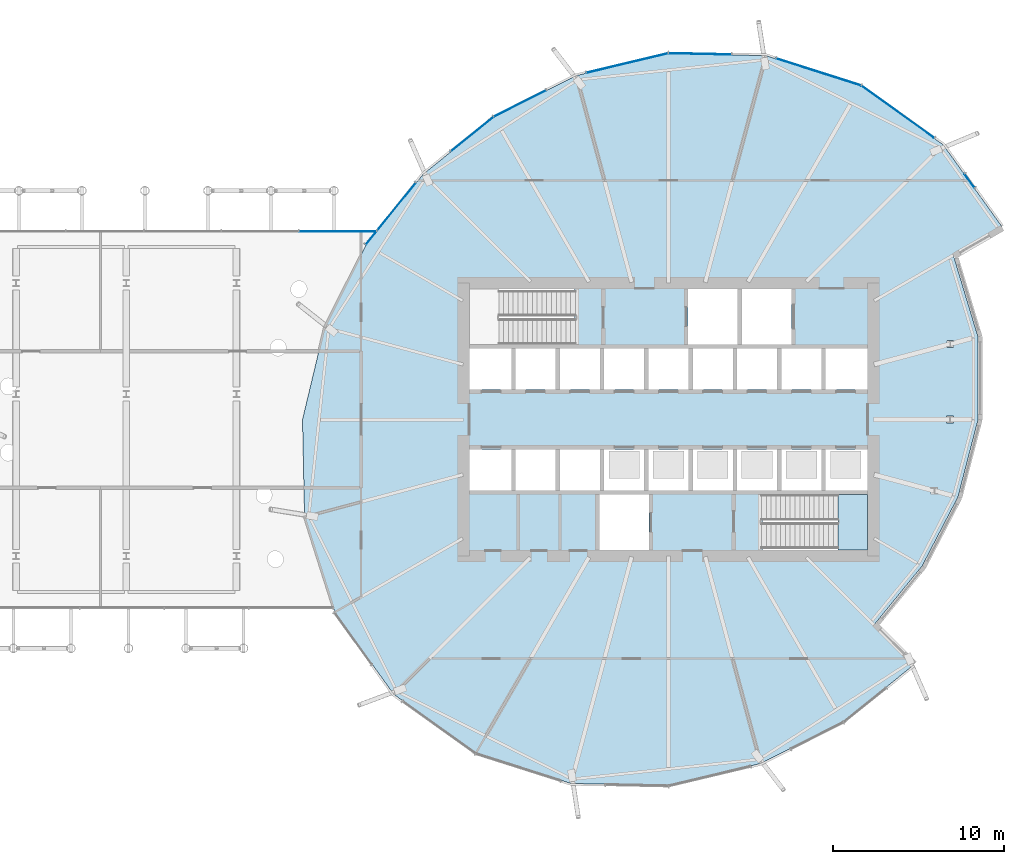
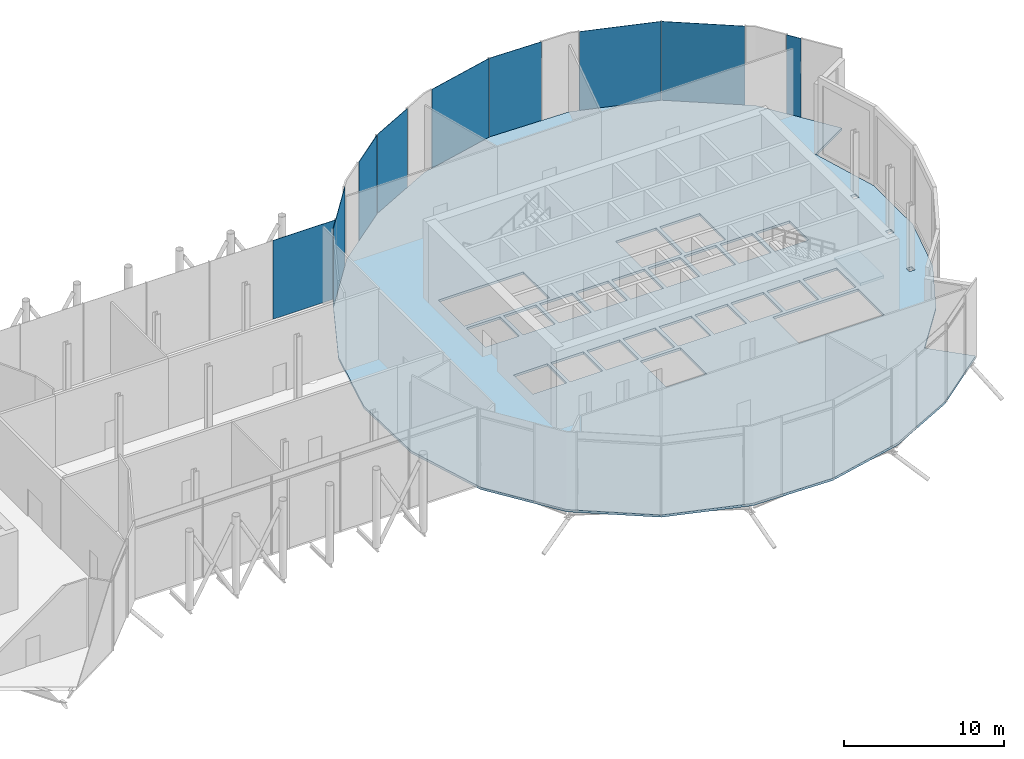
# One storey, part 18 of 38: 9 plates, 2 slabs, 3 elements without a shape of their own.
"""IFC4 building model written with IfcOpenShell, lengths in metres."""

import ifcopenshell
import ifcopenshell.guid

model = None  # the IFC model being written
_history = None  # IfcOwnerHistory: only IFC2X3 demands one
_inside = {}  # id of a spatial element -> (the spatial element, [elements in it])
_under = {}  # id of a project, library or spatial element -> (it, [spatial elements below it])
_declared = {}  # id of a project -> (the project, [libraries it declares])
_typed = {}  # id of a type object -> (the type object, [elements of that type])
_made_of = {}  # id of a material, layer set ... -> (it, [elements and type objects made of it])


def new_model(schema):
    """Start an empty IFC model of exactly this schema.

    Asked for "IFC4X3", IfcOpenShell would pick the latest addendum, in which some entities
    have other attributes; the version numbers below select the first issue.
    IFC2X3 requires an IfcOwnerHistory on every rooted entity: one is made here for all.
    """
    global model, _history
    if schema == "IFC4X3":
        model = ifcopenshell.file(schema_version=(4, 3, 0, 0))
    else:
        model = ifcopenshell.file(schema=schema)
    _inside.clear()
    _under.clear()
    _declared.clear()
    _typed.clear()
    _made_of.clear()
    _history = None
    if model.schema == "IFC2X3":
        org = make("IfcOrganization", Name="unknown")
        user = make(
            "IfcPersonAndOrganization",
            ThePerson=make("IfcPerson", FamilyName="unknown"),
            TheOrganization=org,
        )
        app = make(
            "IfcApplication",
            ApplicationDeveloper=org,
            Version="unknown",
            ApplicationFullName="unknown",
            ApplicationIdentifier="unknown",
        )
        _history = make(
            "IfcOwnerHistory",
            OwningUser=user,
            OwningApplication=app,
            ChangeAction="ADDED",
            CreationDate=0,
        )
    return model


def make(cls, **values):
    """One entity of the class cls with the attributes given. An attribute that is None is left unset."""
    return model.create_entity(
        cls, **{name: value for name, value in values.items() if value is not None}
    )


def rooted(cls, **values):
    """An entity with a GlobalId (a new one), such as an element, a storey or a relation."""
    return make(cls, GlobalId=ifcopenshell.guid.new(), OwnerHistory=_history, **values)


def si_unit(unit_type, name, prefix=None):
    """IfcSIUnit, for example si_unit("LENGTHUNIT", "METRE", prefix="MILLI")."""
    return make("IfcSIUnit", UnitType=unit_type, Prefix=prefix, Name=name)


def assignment(units):
    """IfcUnitAssignment: the units of a project."""
    return None if units is None else make("IfcUnitAssignment", Units=units)


def point(xyz):
    """IfcCartesianPoint."""
    return None if xyz is None else make("IfcCartesianPoint", Coordinates=xyz)


def direction(xyz):
    """IfcDirection."""
    return None if xyz is None else make("IfcDirection", DirectionRatios=xyz)


def frame(location, z_axis=None, x_axis=None):
    """IfcAxis2Placement3D, a coordinate frame: its origin and axes. An axis left out is left unset."""
    return make(
        "IfcAxis2Placement3D",
        Location=point(location),
        Axis=direction(z_axis),
        RefDirection=direction(x_axis),
    )


def frame_2d(location, x_axis=None):
    """IfcAxis2Placement2D, a coordinate frame in the plane: its origin and x axis."""
    return make(
        "IfcAxis2Placement2D", Location=point(location), RefDirection=direction(x_axis)
    )


def origin():
    """The frame at (0, 0, 0) with its axes left unset."""
    return frame((0.0, 0.0, 0.0))


def origin_2d():
    """The frame at (0, 0) in the plane with its x axis left unset."""
    return frame_2d((0.0, 0.0))


def place(relative_to, where):
    """IfcLocalPlacement: puts the frame where relative to a parent placement (None: the world)."""
    return make(
        "IfcLocalPlacement", PlacementRelTo=relative_to, RelativePlacement=where
    )


def context(
    kind, dimensions, precision=None, world=None, true_north=None, identifier=None
):
    """IfcGeometricRepresentationContext, for example the 3D "Model" context."""
    return make(
        "IfcGeometricRepresentationContext",
        ContextIdentifier=identifier,
        ContextType=kind,
        CoordinateSpaceDimension=dimensions,
        Precision=precision,
        WorldCoordinateSystem=world,
        TrueNorth=true_north,
    )


def subcontext(parent, identifier, kind, view, scale=None):
    """IfcGeometricRepresentationSubContext, for example "Body" below "Model"."""
    return make(
        "IfcGeometricRepresentationSubContext",
        ContextIdentifier=identifier,
        ContextType=kind,
        ParentContext=parent,
        TargetScale=scale,
        TargetView=view,
    )


def project(units=None, contexts=None):
    """IfcProject with its units and contexts."""
    return rooted(
        "IfcProject",
        Name="project",
        RepresentationContexts=contexts,
        UnitsInContext=assignment(units),
    )


def spatial(cls, under=None, at=None, **own):
    """A site, building, storey or space (cls), placed at a placement, below another one or the project."""
    s = rooted(cls, ObjectPlacement=at, **own)
    if under is not None:
        _under.setdefault(under.id(), (under, []))[1].append(s)
    return s


def polyline(points):
    """IfcPolyline through the points."""
    return make("IfcPolyline", Points=[point(p) for p in points])


def profile(cls, at=None, kind="AREA", **sizes):
    """A parametric profile (cls). Its sizes go by their IFC names, for example OverallWidth=200.0."""
    return make(cls, ProfileType=kind, Position=at, **sizes)


def rectangle(**sizes):
    """IfcRectangleProfileDef."""
    return profile("IfcRectangleProfileDef", **sizes)


def outline(outer, holes=None, kind="AREA"):
    """IfcArbitraryClosedProfileDef: a profile drawn as a closed curve; with holes, ...WithVoids."""
    if holes is None:
        return make("IfcArbitraryClosedProfileDef", ProfileType=kind, OuterCurve=outer)
    return make(
        "IfcArbitraryProfileDefWithVoids",
        ProfileType=kind,
        OuterCurve=outer,
        InnerCurves=holes,
    )


def extrude(swept, where, along, depth):
    """IfcExtrudedAreaSolid: the profile swept, set in the frame where, extruded along a direction by depth."""
    return make(
        "IfcExtrudedAreaSolid",
        SweptArea=swept,
        Position=where,
        ExtrudedDirection=direction(along),
        Depth=depth,
    )


def shape(context_of_items, identifier, shape_type, items):
    """IfcShapeRepresentation: the items that make up one representation, for example the "Body"."""
    return make(
        "IfcShapeRepresentation",
        ContextOfItems=context_of_items,
        RepresentationIdentifier=identifier,
        RepresentationType=shape_type,
        Items=items,
    )


def material(Name=None, Category=None):
    """IfcMaterial."""
    return make("IfcMaterial", Name=Name, Category=Category)


def layer(
    of_material, thickness, ventilated=None, Name=None, Category=None, Priority=None
):
    """IfcMaterialLayer: one layer of a wall or slab, of a material (None: an air gap)."""
    return make(
        "IfcMaterialLayer",
        Material=of_material,
        LayerThickness=thickness,
        IsVentilated=ventilated,
        Name=Name,
        Category=Category,
        Priority=Priority,
    )


def layer_set(layers, Name=None):
    """IfcMaterialLayerSet."""
    return make("IfcMaterialLayerSet", MaterialLayers=layers, LayerSetName=Name)


def made_of(thing, what):
    """Note that an element or type object is made of a material, layer set ...; save() writes the relation."""
    if what is not None:
        _made_of.setdefault(what.id(), (what, []))[1].append(thing)
    return thing


def type_object(cls, material=None, **own):
    """A type object (cls), such as IfcWallType, which elements share."""
    return made_of(rooted(cls, **own), material)


def element(
    cls,
    number,
    at=None,
    inside=None,
    cuts=None,
    type_object=None,
    material=None,
    context=None,
    identifier="Body",
    shape_type=None,
    held_by="IfcProductDefinitionShape",
    body=None,
    shapes=None,
    **own,
):
    """One element of the class cls, such as IfcWall. Its Tag is "e" and its number.

    at: its placement. inside: the storey or other place that contains it. cuts: it is an
    opening in that element (IfcRelVoidsElement). A single representation is given by context,
    identifier, shape_type and body (its items); several are given by shapes. held_by: the class
    of the entity that holds the representations. save() writes the other relations.
    """
    e = rooted(cls, Tag="e%d" % number, ObjectPlacement=at, **own)
    if body is not None:
        shapes = [shape(context, identifier, shape_type, body)]
    if shapes is not None:
        e.Representation = make(held_by, Representations=shapes)
    if inside is not None:
        _inside.setdefault(inside.id(), (inside, []))[1].append(e)
    if cuts is not None:
        rooted(
            "IfcRelVoidsElement", RelatingBuildingElement=cuts, RelatedOpeningElement=e
        )
    if type_object is not None:
        _typed.setdefault(type_object.id(), (type_object, []))[1].append(e)
    return made_of(e, material)


def aggregate(whole, parts):
    """IfcRelAggregates: a whole, such as a stair, and the parts it consists of."""
    return rooted("IfcRelAggregates", RelatingObject=whole, RelatedObjects=parts)


def save(model, path):
    """Write the relations noted so far, then the file.

    IfcRelAggregates (storeys below a building ...), IfcRelContainedInSpatialStructure (elements
    in a storey), IfcRelDefinesByType, IfcRelAssociatesMaterial and IfcRelDeclares: one each for
    every whole, place, type object, material and project.
    """
    for whole, parts in _under.values():
        aggregate(whole, parts)
    for where, things in _inside.values():
        rooted(
            "IfcRelContainedInSpatialStructure",
            RelatedElements=things,
            RelatingStructure=where,
        )
    for kind, things in _typed.values():
        rooted("IfcRelDefinesByType", RelatedObjects=things, RelatingType=kind)
    for what, things in _made_of.values():
        rooted("IfcRelAssociatesMaterial", RelatedObjects=things, RelatingMaterial=what)
    for by, libraries in _declared.values():
        rooted("IfcRelDeclares", RelatingContext=by, RelatedDefinitions=libraries)
    model.write(path)


model = new_model("IFC4")

# Units and contexts
model_context = context("Model", 3, precision=1e-05, world=origin(), true_north=direction((0.0, 1.0)))
body_context = subcontext(model_context, "Body", "Model", "MODEL_VIEW")
ifc_project = project(units=[si_unit("LENGTHUNIT", "METRE"), si_unit("AREAUNIT", "SQUARE_METRE"), si_unit("VOLUMEUNIT", "CUBIC_METRE"), si_unit("PLANEANGLEUNIT", "RADIAN"), si_unit("MASSUNIT", "GRAM", prefix="KILO")], contexts=[model_context])

# Site, building, storey
site_placement = place(None, origin())
site = spatial("IfcSite", under=ifc_project, at=site_placement, CompositionType="ELEMENT")
building_placement = place(site_placement, origin())
building = spatial("IfcBuilding", under=site, at=building_placement, Name="Rimbun Link Towers", CompositionType="ELEMENT")
storey_placement = place(building_placement, frame((0.0, 0.0, 133.199951171875)))
storey = spatial("IfcBuildingStorey", under=building, at=storey_placement, Name="L32", CompositionType="ELEMENT", Elevation=133.199951171875)

# Slab
ifc_material_1 = material(Name="Concrete C35/45", Category="concrete")
ifc_layer_1 = layer(ifc_material_1, 0.179931640625)
ifc_layer_set_1 = layer_set([ifc_layer_1], Name="COMPOSITE FLOOR 180")
slab_type_1 = type_object("IfcSlabType", Name="COMPOSITE FLOOR 180", PredefinedType="FLOOR", material=ifc_layer_set_1)
slab_1_placement = place(storey_placement, frame((0.0, 0.0, -0.179931640625)))
element("IfcSlab", 1, at=slab_1_placement, inside=storey, type_object=slab_type_1, Name="Floor slab T2 L32", PredefinedType="FLOOR", context=body_context, shape_type="SweptSolid", body=[
    extrude(outline(polyline([(41.9775390625, -17.714599609375), (37.146728515625, -20.140625), (31.75, -21.43115234375), (26.039794921875, -21.310791015625), (20.468994140625, -19.539306640625), (15.660888671875, -16.089111328125), (12.210693359375, -11.281005859375), (10.439208984375, -5.710205078125), (10.31884765625, 0.0), (11.609375, 5.396728515625), (14.035400390625, 10.2275390625), (17.384765625, 14.365234375), (21.5224609375, 17.714599609375), (26.353271484375, 20.140625), (31.75, 21.43115234375), (37.460205078125, 21.310791015625), (43.031005859375, 19.539306640625), (47.839111328125, 16.089111328125), (51.289306640625, 11.281005859375), (48.431396484375, 9.631103515625), (49.873291015625, 4.856201171875), (49.881103515625, 0.0), (48.702880859375, -4.54248046875), (46.606689453125, -8.577392578125), (43.78173828125, -12.03173828125), (46.115234375, -14.365234375), (41.9775390625, -17.714599609375)]), holes=[polyline([(30.60009765625, -7.64990234375), (30.60009765625, -4.39990234375), (27.699951171875, -4.39990234375), (27.699951171875, -7.64990234375), (30.60009765625, -7.64990234375)]), polyline([(20.10009765625, -4.14990234375), (22.54443359375, -4.14990234375), (22.54443359375, -1.75), (20.10009765625, -1.75), (20.10009765625, -4.14990234375)]), polyline([(22.79443359375, -4.14990234375), (25.138916015625, -4.14990234375), (25.138916015625, -1.75), (22.79443359375, -1.75), (22.79443359375, -4.14990234375)]), polyline([(27.7333984375, -4.14990234375), (27.7333984375, -1.75), (25.388916015625, -1.75), (25.388916015625, -4.14990234375), (27.7333984375, -4.14990234375)]), polyline([(27.9833984375, -4.14990234375), (30.327880859375, -4.14990234375), (30.327880859375, -1.75), (27.9833984375, -1.75), (27.9833984375, -4.14990234375)]), polyline([(30.577880859375, -4.14990234375), (32.922119140625, -4.14990234375), (32.922119140625, -1.75), (30.577880859375, -1.75), (30.577880859375, -4.14990234375)]), polyline([(22.54443359375, 1.75), (22.54443359375, 4.14990234375), (20.10009765625, 4.14990234375), (20.10009765625, 1.75), (22.54443359375, 1.75)]), polyline([(22.79443359375, 1.75), (25.138916015625, 1.75), (25.138916015625, 4.14990234375), (22.79443359375, 4.14990234375), (22.79443359375, 1.75)]), polyline([(25.388916015625, 1.75), (27.7333984375, 1.75), (27.7333984375, 4.14990234375), (25.388916015625, 4.14990234375), (25.388916015625, 1.75)]), polyline([(27.9833984375, 1.75), (30.327880859375, 1.75), (30.327880859375, 4.14990234375), (27.9833984375, 4.14990234375), (27.9833984375, 1.75)]), polyline([(30.577880859375, 1.75), (32.922119140625, 1.75), (32.922119140625, 4.14990234375), (30.577880859375, 4.14990234375), (30.577880859375, 1.75)]), polyline([(33.172119140625, 1.75), (35.5166015625, 1.75), (35.5166015625, 4.14990234375), (33.172119140625, 4.14990234375), (33.172119140625, 1.75)]), polyline([(20.10009765625, 4.39990234375), (26.239990234375, 4.39990234375), (26.239990234375, 7.64990234375), (20.10009765625, 7.64990234375), (20.10009765625, 4.39990234375)]), polyline([(43.39990234375, -7.64990234375), (43.39990234375, -4.39990234375), (37.260009765625, -4.39990234375), (37.260009765625, -7.64990234375), (43.39990234375, -7.64990234375)]), polyline([(47.11767578125, -4.367919921875), (47.5166015625, -4.367919921875), (47.5166015625, -3.974365234375), (47.11767578125, -3.974365234375), (47.11767578125, -4.367919921875)]), polyline([(33.172119140625, -4.14990234375), (35.5166015625, -4.14990234375), (35.5166015625, -1.75), (33.172119140625, -1.75), (33.172119140625, -4.14990234375)]), polyline([(38.111083984375, -4.14990234375), (38.111083984375, -1.75), (35.7666015625, -1.75), (35.7666015625, -4.14990234375), (38.111083984375, -4.14990234375)]), polyline([(38.361083984375, -4.14990234375), (40.70556640625, -4.14990234375), (40.70556640625, -1.75), (38.361083984375, -1.75), (38.361083984375, -4.14990234375)]), polyline([(40.95556640625, -4.14990234375), (43.39990234375, -4.14990234375), (43.39990234375, -1.75), (40.95556640625, -1.75), (40.95556640625, -4.14990234375)]), polyline([(48.435546875, -0.19677734375), (48.435546875, 0.19677734375), (48.03662109375, 0.19677734375), (48.03662109375, -0.19677734375), (48.435546875, -0.19677734375)]), polyline([(35.7666015625, 1.75), (38.111083984375, 1.75), (38.111083984375, 4.14990234375), (35.7666015625, 4.14990234375), (35.7666015625, 1.75)]), polyline([(38.361083984375, 1.75), (40.70556640625, 1.75), (40.70556640625, 4.14990234375), (38.361083984375, 4.14990234375), (38.361083984375, 1.75)]), polyline([(40.95556640625, 1.75), (43.39990234375, 1.75), (43.39990234375, 4.14990234375), (40.95556640625, 4.14990234375), (40.95556640625, 1.75)]), polyline([(48.052001953125, 4.224609375), (48.450927734375, 4.224609375), (48.450927734375, 4.618408203125), (48.052001953125, 4.618408203125), (48.052001953125, 4.224609375)]), polyline([(32.89990234375, 4.39990234375), (35.800048828125, 4.39990234375), (35.800048828125, 7.64990234375), (32.89990234375, 7.64990234375), (32.89990234375, 4.39990234375)]), polyline([(36.050048828125, 4.39990234375), (38.949951171875, 4.39990234375), (38.949951171875, 7.64990234375), (36.050048828125, 7.64990234375), (36.050048828125, 4.39990234375)])]), origin(), (0.0, 0.0, 1.0), 0.179931640625),
])

# Curtain wall, plate
ifc_material_2 = material(Name="Aluminium 6063-T6 and low-iron glass", Category="aluminium")
curtain_wall_type = type_object("IfcCurtainWallType", Name="CW5 full height lobby wall", PredefinedType="NOTDEFINED", material=ifc_material_2)
curtain_wall_1_placement = place(storey_placement, origin())
curtain_wall_1 = element("IfcCurtainWall", 2, at=curtain_wall_1_placement, inside=storey, type_object=curtain_wall_type, Name="CW5 L32 LB", PredefinedType="NOTDEFINED")
ifc_material_3 = material(Name="Aluminium cladding, insulated panel", Category="aluminium")
ifc_layer_2 = layer(ifc_material_3, 0.031982421875)
ifc_layer_set_2 = layer_set([ifc_layer_2], Name="CW5 insulated panel Aluminium cladding 32")
plate_type_1 = type_object("IfcPlateType", Name="CW5 insulated panel Aluminium cladding 32", PredefinedType="CURTAIN_PANEL", material=ifc_layer_set_2)
plate_1_placement = place(storey_placement, frame((12.38671875, 11.01611328125, 0.0), z_axis=(0.0, 0.0, 1.0), x_axis=(1.0, 0.0, 0.0)))
plate_1 = element("IfcPlate", 3, at=plate_1_placement, type_object=plate_type_1, Name="CW5 insulated panel", PredefinedType="CURTAIN_PANEL", context=body_context, shape_type="SweptSolid", body=[
    extrude(rectangle(XDim=4.508056640625, YDim=0.031982421875, at=origin_2d()), origin(), (0.0, 0.0, 1.0), 6.0),
])
aggregate(curtain_wall_1, [plate_1])

# Curtain wall, plates
curtain_wall_2_placement = place(storey_placement, origin())
curtain_wall_2 = element("IfcCurtainWall", 4, at=curtain_wall_2_placement, inside=storey, type_object=curtain_wall_type, Name="CW5 L32 T2", PredefinedType="NOTDEFINED")
ifc_material_4 = material(Name="Low-iron glass, laminated low-e unit", Category="glass")
ifc_layer_3 = layer(ifc_material_4, 0.031982421875)
ifc_layer_set_3 = layer_set([ifc_layer_3], Name="CW5 panel Low-iron glass 32")
plate_type_2 = type_object("IfcPlateType", Name="CW5 panel Low-iron glass 32", PredefinedType="CURTAIN_PANEL", material=ifc_layer_set_3)
plate_2_placement = place(storey_placement, frame((45.180419921875, 18.0166015625, 0.0), z_axis=(0.0, 0.0, 1.0), x_axis=(0.81246534364, -0.58300948996, 0.0)))
plate_2 = element("IfcPlate", 5, at=plate_2_placement, type_object=plate_type_2, Name="CW5 panel", PredefinedType="CURTAIN_PANEL", context=body_context, shape_type="SweptSolid", body=[
    extrude(rectangle(XDim=5.22802734375, YDim=0.031982421875, at=origin_2d()), origin(), (0.0, 0.0, 1.0), 6.0),
])
plate_3_placement = place(storey_placement, frame((40.536376953125, 20.349365234375, 0.0), z_axis=(0.0, 0.0, 1.0), x_axis=(0.952971600555, -0.303059612182, 0.0)))
plate_3 = element("IfcPlate", 6, at=plate_3_placement, type_object=plate_type_2, Name="CW5 panel", PredefinedType="CURTAIN_PANEL", context=body_context, shape_type="SweptSolid", body=[
    extrude(rectangle(XDim=5.205810546875, YDim=0.031982421875, at=origin_2d()), origin(), (0.0, 0.0, 1.0), 6.0),
])
plate_4_placement = place(storey_placement, frame((33.605712890625, 21.408203125, 0.0), z_axis=(0.0, 0.0, 1.0), x_axis=(0.999778152734, -0.021062889527, 0.0)))
plate_4 = element("IfcPlate", 7, at=plate_4_placement, type_object=plate_type_2, Name="CW5 panel", PredefinedType="CURTAIN_PANEL", context=body_context, shape_type="SweptSolid", body=[
    extrude(rectangle(XDim=3.67138671875, YDim=0.031982421875, at=origin_2d()), origin(), (0.0, 0.0, 1.0), 6.0),
])
plate_5_placement = place(storey_placement, frame((29.339599609375, 20.871337890625, 0.0), z_axis=(0.0, 0.0, 1.0), x_axis=(0.972575435448, 0.232587665973, 0.0)))
plate_5 = element("IfcPlate", 8, at=plate_5_placement, type_object=plate_type_2, Name="CW5 panel", PredefinedType="CURTAIN_PANEL", context=body_context, shape_type="SweptSolid", body=[
    extrude(rectangle(XDim=4.908935546875, YDim=0.031982421875, at=origin_2d()), origin(), (0.0, 0.0, 1.0), 6.0),
])
plate_6_placement = place(storey_placement, frame((23.059326171875, 18.50439453125, 0.0), z_axis=(0.0, 0.0, 1.0), x_axis=(0.893641464981, 0.448781608432, 0.0)))
plate_6 = element("IfcPlate", 9, at=plate_6_placement, type_object=plate_type_2, Name="CW5 panel", PredefinedType="CURTAIN_PANEL", context=body_context, shape_type="SweptSolid", body=[
    extrude(rectangle(XDim=3.415771484375, YDim=0.031982421875, at=origin_2d()), origin(), (0.0, 0.0, 1.0), 6.0),
])
plate_7_placement = place(storey_placement, frame((20.259765625, 16.712890625, 0.0), z_axis=(0.0, 0.0, 1.0), x_axis=(0.777276803841, 0.629158779809, 0.0)))
plate_7 = element("IfcPlate", 10, at=plate_7_placement, type_object=plate_type_2, Name="CW5 panel", PredefinedType="CURTAIN_PANEL", context=body_context, shape_type="SweptSolid", body=[
    extrude(rectangle(XDim=3.183349609375, YDim=0.031982421875, at=origin_2d()), origin(), (0.0, 0.0, 1.0), 6.0),
])
plate_8_placement = place(storey_placement, frame((15.4931640625, 12.053955078125, 0.0), z_axis=(0.0, 0.0, 1.0), x_axis=(0.629158779809, 0.777276803841, 0.0)))
plate_8 = element("IfcPlate", 11, at=plate_8_placement, type_object=plate_type_2, Name="CW5 panel", PredefinedType="CURTAIN_PANEL", context=body_context, shape_type="SweptSolid", body=[
    extrude(rectangle(XDim=4.633544921875, YDim=0.031982421875, at=origin_2d()), origin(), (0.0, 0.0, 1.0), 6.0),
])
plate_9_placement = place(storey_placement, frame((49.373046875, 13.978759765625, 0.0), z_axis=(0.0, 0.0, 1.0), x_axis=(0.58300948996, -0.81246534364, 0.0)))
plate_9 = element("IfcPlate", 12, at=plate_9_placement, type_object=plate_type_2, Name="CW5 panel", PredefinedType="CURTAIN_PANEL", context=body_context, shape_type="SweptSolid", body=[
    extrude(rectangle(XDim=0.97802734375, YDim=0.031982421875, at=origin_2d()), origin(), (0.0, 0.0, 1.0), 6.0),
])
aggregate(curtain_wall_2, [plate_2, plate_3, plate_4, plate_5, plate_6, plate_7, plate_8, plate_9])

# Stair, slab
ifc_material_5 = material(Name="Concrete C40/50", Category="concrete")
stair_type = type_object("IfcStairType", Name="Exit stair 6000 rise", PredefinedType="HALF_TURN_STAIR", material=ifc_material_5)
stair_placement = place(storey_placement, origin())
stair = element("IfcStair", 13, at=stair_placement, inside=storey, type_object=stair_type, Name="L32 EXIT STAIR B", PredefinedType="HALF_TURN_STAIR")
ifc_material_6 = material(Name="Concrete C40/50", Category="concrete")
ifc_layer_4 = layer(ifc_material_6, 0.199951171875)
ifc_layer_set_4 = layer_set([ifc_layer_4], Name="Stair landing")
slab_type_2 = type_object("IfcSlabType", Name="Stair landing", PredefinedType="LANDING", material=ifc_layer_set_4)
slab_2_placement = place(storey_placement, frame((0.0, 0.0, 2.800048828125)))
slab_2 = element("IfcSlab", 14, at=slab_2_placement, type_object=slab_type_2, Name="ST4 landing 1", PredefinedType="LANDING", context=body_context, shape_type="SweptSolid", body=[
    extrude(outline(polyline([(41.679931640625, -7.64990234375), (43.39990234375, -7.64990234375), (43.39990234375, -4.39990234375), (41.679931640625, -4.39990234375), (41.679931640625, -7.64990234375)])), origin(), (0.0, 0.0, 1.0), 0.199951171875),
])
aggregate(stair, [slab_2])

save(model, "model.ifc")
